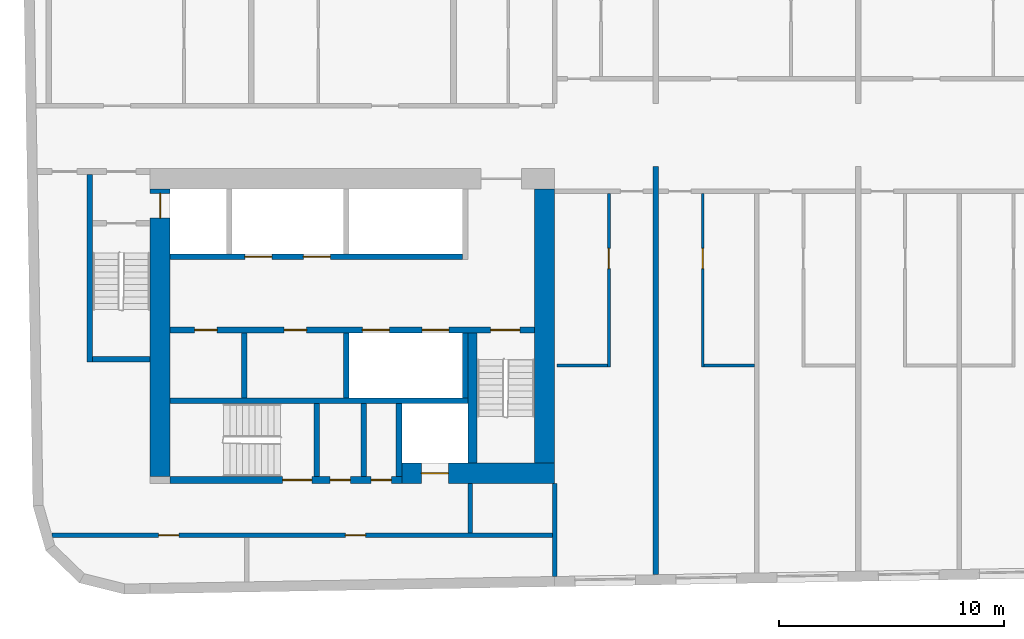
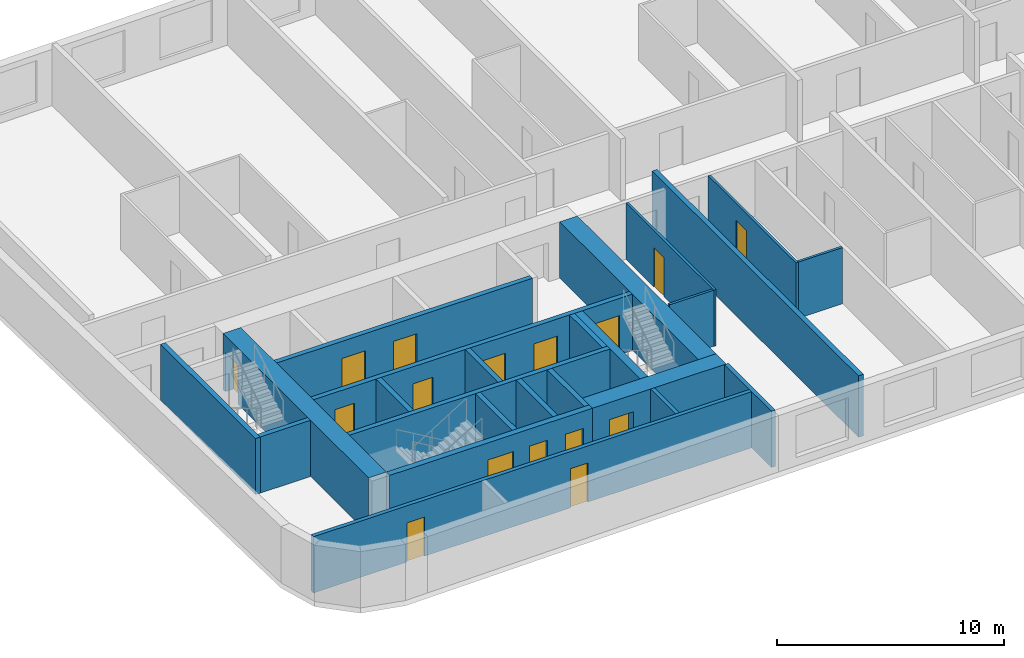
# One storey, part 2 of 11: 24 walls, 16 doors, 16 openings.
"""IFC4 building model written with IfcOpenShell, lengths in metres."""

from ifc_helpers import new_model, si_unit, direction, frame, frame_2d, origin, place, context, subcontext, project, spatial, rectangle, extrude, material, layer, layer_set, type_object, element, fill, save


model = new_model("IFC4")

# Units and contexts
model_context = context("Model", 3, precision=1e-05, world=origin(), true_north=direction((0.0, 1.0)))
body_context = subcontext(model_context, "Body", "Model", "MODEL_VIEW")
ifc_project = project(units=[si_unit("LENGTHUNIT", "METRE"), si_unit("AREAUNIT", "SQUARE_METRE"), si_unit("VOLUMEUNIT", "CUBIC_METRE"), si_unit("PLANEANGLEUNIT", "RADIAN"), si_unit("MASSUNIT", "GRAM", prefix="KILO")], contexts=[model_context])

# Site, building, storey
site_placement = place(None, origin())
site = spatial("IfcSite", under=ifc_project, at=site_placement, CompositionType="ELEMENT")
building_placement = place(site_placement, origin())
building = spatial("IfcBuilding", under=site, at=building_placement, Name="Kajstack Hotel Tower", CompositionType="ELEMENT")
storey_placement = place(building_placement, frame((0.0, 0.0, 244.10009765625)))
storey = spatial("IfcBuildingStorey", under=building, at=storey_placement, Name="L60", CompositionType="ELEMENT", Elevation=244.10009765625)

# Wall, opening, door
ifc_material_1 = material(Name="Concrete C60/75", Category="concrete")
ifc_layer_1 = layer(ifc_material_1, 0.89990234375)
ifc_layer_set_1 = layer_set([ifc_layer_1], Name="Core wall 900")
wall_type_1 = type_object("IfcWallType", Name="Core wall 900", PredefinedType="SHEAR", material=ifc_layer_set_1)
wall_1_placement = place(storey_placement, frame((-20.300048828125, -15.050048828125, 0.0), z_axis=(0.0, 0.0, 1.0), x_axis=(1.0, 0.0, 0.0)))
wall_1 = element("IfcWall", 1, at=wall_1_placement, inside=storey, type_object=wall_type_1, Name="Core wall W RS", PredefinedType="SHEAR", context=body_context, shape_type="SweptSolid", body=[
    extrude(rectangle(XDim=6.800048828125, YDim=0.89990234375, at=frame_2d((3.39990234375, 0.0))), origin(), (0.0, 0.0, 1.0), 3.02001953125),
])
opening_1_placement = place(wall_1_placement, frame((0.875, 0.0, 0.0)))
opening_1 = element("IfcOpeningElement", 2, at=opening_1_placement, cuts=wall_1, Name="Opening LD-SV1", PredefinedType="OPENING", context=body_context, shape_type="SweptSolid", body=[
    extrude(rectangle(XDim=1.199951171875, YDim=2.10009765625, at=frame_2d((0.60009765625, 1.050048828125))), frame((0.0, 0.4599609375, 0.0), z_axis=(0.0, -1.0, 0.0), x_axis=(1.0, 0.0, 0.0)), (0.0, 0.0, 1.0), 0.919921875),
])
ifc_material_2 = material(Name="Stainless steel", Category="steel")
door_type_1 = type_object("IfcDoorType", Name="Lift landing door 1200", OperationType="SLIDING_TO_LEFT", PredefinedType="DOOR", material=ifc_material_2)
door_1_placement = place(opening_1_placement, origin())
door_1 = element("IfcDoor", 3, at=door_1_placement, inside=storey, type_object=door_type_1, Name="Landing door SV1", OperationType="SLIDING_TO_LEFT", OverallHeight=2.10009765625, OverallWidth=1.199951171875, PredefinedType="DOOR", context=body_context, shape_type="SweptSolid", body=[
    extrude(rectangle(XDim=1.199951171875, YDim=2.10009765625, at=frame_2d((0.60009765625, 1.050048828125))), frame((0.0, 0.02490234375, 0.0), z_axis=(0.0, -1.0, 0.0), x_axis=(1.0, 0.0, 0.0)), (0.0, 0.0, 1.0), 0.050048828125),
])
fill(opening_1, door_1)

wall_2_placement = place(storey_placement, frame((-31.050048828125, -15.199951171875, 0.0), z_axis=(0.0, 0.0, 1.0), x_axis=(0.0, 1.0, 0.0)))
wall_2 = element("IfcWall", 4, at=wall_2_placement, inside=storey, type_object=wall_type_1, Name="Core wall W RW", PredefinedType="SHEAR", context=body_context, shape_type="SweptSolid", body=[
    extrude(rectangle(XDim=12.800048828125, YDim=0.89990234375, at=frame_2d((6.39990234375, 0.0))), origin(), (0.0, 0.0, 1.0), 3.02001953125),
])
opening_2_placement = place(wall_2_placement, frame((11.5, 0.0, 0.0)))
opening_2 = element("IfcOpeningElement", 5, at=opening_2_placement, cuts=wall_2, Name="Opening LD-FF1", PredefinedType="OPENING", context=body_context, shape_type="SweptSolid", body=[
    extrude(rectangle(XDim=1.10009765625, YDim=2.10009765625, at=frame_2d((0.550048828125, 1.050048828125))), frame((0.0, 0.4599609375, 0.0), z_axis=(0.0, -1.0, 0.0), x_axis=(1.0, 0.0, 0.0)), (0.0, 0.0, 1.0), 0.919921875),
])
door_type_2 = type_object("IfcDoorType", Name="Fire-fighting lift landing door 1100", OperationType="SLIDING_TO_LEFT", PredefinedType="DOOR", material=ifc_material_2)
door_2_placement = place(opening_2_placement, origin())
door_2 = element("IfcDoor", 6, at=door_2_placement, inside=storey, type_object=door_type_2, Name="Landing door FF1", OperationType="SLIDING_TO_RIGHT", OverallHeight=2.10009765625, OverallWidth=1.10009765625, PredefinedType="DOOR", context=body_context, shape_type="SweptSolid", body=[
    extrude(rectangle(XDim=1.10009765625, YDim=2.10009765625, at=frame_2d((0.550048828125, 1.050048828125))), frame((0.0, 0.02490234375, 0.0), z_axis=(0.0, -1.0, 0.0), x_axis=(1.0, 0.0, 0.0)), (0.0, 0.0, 1.0), 0.050048828125),
])
fill(opening_2, door_2)

# Walls
wall_3_placement = place(storey_placement, frame((-13.949951171875, -14.60009765625, 0.0), z_axis=(0.0, 0.0, 1.0), x_axis=(0.0, 1.0, 0.0)))
element("IfcWall", 7, at=wall_3_placement, inside=storey, type_object=wall_type_1, Name="Core wall W RE", PredefinedType="SHEAR", context=body_context, shape_type="SweptSolid", body=[
    extrude(rectangle(XDim=12.2001953125, YDim=0.89990234375, at=frame_2d((6.10009765625, 0.0))), origin(), (0.0, 0.0, 1.0), 3.02001953125),
])
ifc_material_3 = material(Name="Twin-frame gypsum board on steel studs, mineral wool", Category="steel")
ifc_layer_2 = layer(ifc_material_3, 0.199951171875)
ifc_layer_set_2 = layer_set([ifc_layer_2], Name="Demising wall 200")
wall_type_2 = type_object("IfcWallType", Name="Demising wall 200", PredefinedType="PARTITIONING", material=ifc_layer_set_2)
wall_4_placement = place(storey_placement, frame((-13.5, -19.64111328125, 0.0), z_axis=(0.0, 0.0, 1.0), x_axis=(0.0, 1.0, 0.0)))
element("IfcWall", 8, at=wall_4_placement, inside=storey, type_object=wall_type_2, Name="G-wall-L60-002", PredefinedType="PARTITIONING", context=body_context, shape_type="SweptSolid", body=[
    extrude(rectangle(XDim=4.14111328125, YDim=0.199951171875, at=frame_2d((2.070556640625, 0.0))), origin(), (0.0, 0.0, 1.0), 3.02001953125),
])

# Wall, opening, door
ifc_material_4 = material(Name="Gypsum board and tiled backer on steel studs", Category="steel")
ifc_layer_3 = layer(ifc_material_4, 0.125)
ifc_layer_set_3 = layer_set([ifc_layer_3], Name="En-suite wall 125")
wall_type_3 = type_object("IfcWallType", Name="En-suite wall 125", PredefinedType="PARTITIONING", material=ifc_layer_set_3)
wall_5_placement = place(storey_placement, frame((-11.087890625, -10.324951171875, 0.0), z_axis=(0.0, 0.0, 1.0), x_axis=(0.0, 1.0, 0.0)))
wall_5 = element("IfcWall", 9, at=wall_5_placement, inside=storey, type_object=wall_type_3, Name="G-wall-L60-022", PredefinedType="PARTITIONING", context=body_context, shape_type="SweptSolid", body=[
    extrude(rectangle(XDim=7.724853515625, YDim=0.125, at=frame_2d((3.8623046875, 0.0))), origin(), (0.0, 0.0, 1.0), 3.02001953125),
])
opening_3_placement = place(wall_5_placement, frame((4.375, 0.0, 0.0)))
opening_3 = element("IfcOpeningElement", 10, at=opening_3_placement, cuts=wall_5, Name="Opening 60016", PredefinedType="OPENING", context=body_context, shape_type="SweptSolid", body=[
    extrude(rectangle(XDim=0.89990234375, YDim=2.10009765625, at=frame_2d((0.449951171875, 1.050048828125))), frame((0.0, 0.072509765625, 0.0), z_axis=(0.0, -1.0, 0.0), x_axis=(1.0, 0.0, 0.0)), (0.0, 0.0, 1.0), 0.14501953125),
])
ifc_material_5 = material(Name="Painted timber door leaf", Category="wood")
door_type_3 = type_object("IfcDoorType", Name="Room door 900", OperationType="SINGLE_SWING_LEFT", PredefinedType="DOOR", material=ifc_material_5)
door_3_placement = place(opening_3_placement, origin())
door_3 = element("IfcDoor", 11, at=door_3_placement, inside=storey, type_object=door_type_3, Name="G-door-L60-16", OperationType="SINGLE_SWING_LEFT", OverallHeight=2.10009765625, OverallWidth=0.89990234375, PredefinedType="DOOR", context=body_context, shape_type="SweptSolid", body=[
    extrude(rectangle(XDim=0.89990234375, YDim=2.10009765625, at=frame_2d((0.449951171875, 1.050048828125))), frame((0.0, 0.02490234375, 0.0), z_axis=(0.0, -1.0, 0.0), x_axis=(1.0, 0.0, 0.0)), (0.0, 0.0, 1.0), 0.050048828125),
])
fill(opening_3, door_3)

# Wall
wall_6_placement = place(storey_placement, frame((-13.39990234375, -10.261962890625, 0.0), z_axis=(0.0, 0.0, 1.0), x_axis=(1.0, 0.0, 0.0)))
element("IfcWall", 12, at=wall_6_placement, inside=storey, type_object=wall_type_3, Name="G-wall-L60-023", PredefinedType="PARTITIONING", context=body_context, shape_type="SweptSolid", body=[
    extrude(rectangle(XDim=2.25, YDim=0.125, at=frame_2d((1.125, 0.0))), origin(), (0.0, 0.0, 1.0), 3.02001953125),
])

# Wall, opening, door
wall_7_placement = place(storey_placement, frame((-6.912109375, -10.324951171875, 0.0), z_axis=(0.0, 0.0, 1.0), x_axis=(0.0, 1.0, 0.0)))
wall_7 = element("IfcWall", 13, at=wall_7_placement, inside=storey, type_object=wall_type_3, Name="G-wall-L60-025", PredefinedType="PARTITIONING", context=body_context, shape_type="SweptSolid", body=[
    extrude(rectangle(XDim=7.724853515625, YDim=0.125, at=frame_2d((3.8623046875, 0.0))), origin(), (0.0, 0.0, 1.0), 3.02001953125),
])
opening_4_placement = place(wall_7_placement, frame((4.375, 0.0, 0.0)))
opening_4 = element("IfcOpeningElement", 14, at=opening_4_placement, cuts=wall_7, Name="Opening 60018", PredefinedType="OPENING", context=body_context, shape_type="SweptSolid", body=[
    extrude(rectangle(XDim=0.89990234375, YDim=2.10009765625, at=frame_2d((0.449951171875, 1.050048828125))), frame((0.0, 0.072509765625, 0.0), z_axis=(0.0, -1.0, 0.0), x_axis=(1.0, 0.0, 0.0)), (0.0, 0.0, 1.0), 0.14501953125),
])
door_4_placement = place(opening_4_placement, origin())
door_4 = element("IfcDoor", 15, at=door_4_placement, inside=storey, type_object=door_type_3, Name="G-door-L60-18", OperationType="SINGLE_SWING_LEFT", OverallHeight=2.10009765625, OverallWidth=0.89990234375, PredefinedType="DOOR", context=body_context, shape_type="SweptSolid", body=[
    extrude(rectangle(XDim=0.89990234375, YDim=2.10009765625, at=frame_2d((0.449951171875, 1.050048828125))), frame((0.0, 0.02490234375, 0.0), z_axis=(0.0, -1.0, 0.0), x_axis=(1.0, 0.0, 0.0)), (0.0, 0.0, 1.0), 0.050048828125),
])
fill(opening_4, door_4)

# Walls
wall_8_placement = place(storey_placement, frame((-6.85009765625, -10.261962890625, 0.0), z_axis=(0.0, 0.0, 1.0), x_axis=(1.0, 0.0, 0.0)))
element("IfcWall", 16, at=wall_8_placement, inside=storey, type_object=wall_type_3, Name="G-wall-L60-026", PredefinedType="PARTITIONING", context=body_context, shape_type="SweptSolid", body=[
    extrude(rectangle(XDim=2.25, YDim=0.125, at=frame_2d((1.125, 0.0))), origin(), (0.0, 0.0, 1.0), 3.02001953125),
])
ifc_material_6 = material(Name="Concrete C50/60", Category="concrete")
ifc_layer_4 = layer(ifc_material_6, 0.300048828125)
ifc_layer_set_4 = layer_set([ifc_layer_4], Name="Hoistway divider wall 300")
wall_type_4 = type_object("IfcWallType", Name="Hoistway divider wall 300", PredefinedType="SHEAR", material=ifc_layer_set_4)
wall_9_placement = place(storey_placement, frame((-22.77490234375, -11.699951171875, 0.0), z_axis=(0.0, 0.0, 1.0), x_axis=(0.0, 1.0, 0.0)))
element("IfcWall", 17, at=wall_9_placement, inside=storey, type_object=wall_type_4, Name="Core wall W BP2", PredefinedType="SHEAR", context=body_context, shape_type="SweptSolid", body=[
    extrude(rectangle(XDim=2.89990234375, YDim=0.25, at=frame_2d((1.449951171875, 0.0))), origin(), (0.0, 0.0, 1.0), 3.02001953125),
])
ifc_material_7 = material(Name="Concrete C45/55", Category="concrete")
ifc_layer_5 = layer(ifc_material_7, 0.25)
ifc_layer_set_5 = layer_set([ifc_layer_5], Name="RC cross wall 250 C45/55")
wall_type_5 = type_object("IfcWallType", Name="RC cross wall 250 C45/55", PredefinedType="SHEAR", material=ifc_layer_set_5)
wall_10_placement = place(storey_placement, frame((-9.0, -19.55029296875, 0.0), z_axis=(0.0, 0.0, 1.0), x_axis=(0.0, 1.0, 0.0)))
element("IfcWall", 18, at=wall_10_placement, inside=storey, type_object=wall_type_5, Name="S-wall-L60-04", PredefinedType="SHEAR", context=body_context, shape_type="SweptSolid", body=[
    extrude(rectangle(XDim=18.150390625, YDim=0.25, at=frame_2d((9.0751953125, 0.0))), origin(), (0.0, 0.0, 1.0), 3.2998046875),
])
ifc_material_8 = material(Name="Concrete block masonry", Category="masonry")
ifc_layer_6 = layer(ifc_material_8, 0.25)
ifc_layer_set_6 = layer_set([ifc_layer_6], Name="Riser partition 250")
wall_type_6 = type_object("IfcWallType", Name="Riser partition 250", PredefinedType="PARTITIONING", material=ifc_layer_set_6)
wall_11_placement = place(storey_placement, frame((-27.300048828125, -11.699951171875, 0.0), z_axis=(0.0, 0.0, 1.0), x_axis=(0.0, 1.0, 0.0)))
element("IfcWall", 19, at=wall_11_placement, inside=storey, type_object=wall_type_6, Name="Partition W BF0", PredefinedType="PARTITIONING", context=body_context, shape_type="SweptSolid", body=[
    extrude(rectangle(XDim=2.89990234375, YDim=0.25, at=frame_2d((1.449951171875, 0.0))), origin(), (0.0, 0.0, 1.0), 3.02001953125),
])
wall_12_placement = place(storey_placement, frame((-22.0, -15.199951171875, 0.0), z_axis=(0.0, 0.0, 1.0), x_axis=(0.0, 1.0, 0.0)))
element("IfcWall", 20, at=wall_12_placement, inside=storey, type_object=wall_type_6, Name="Partition W SZ0", PredefinedType="PARTITIONING", context=body_context, shape_type="SweptSolid", body=[
    extrude(rectangle(XDim=3.25, YDim=0.25, at=frame_2d((1.625, 0.0))), origin(), (0.0, 0.0, 1.0), 3.02001953125),
])
ifc_material_9 = material(Name="Gypsum board on steel studs, mineral wool", Category="steel")
ifc_layer_7 = layer(ifc_material_9, 0.199951171875)
ifc_layer_set_7 = layer_set([ifc_layer_7], Name="Service partition 200")
wall_type_7 = type_object("IfcWallType", Name="Service partition 200", PredefinedType="PARTITIONING", material=ifc_layer_set_7)
wall_13_placement = place(storey_placement, frame((-17.25, -17.699951171875, 0.0), z_axis=(0.0, 0.0, 1.0), x_axis=(0.0, 1.0, 0.0)))
element("IfcWall", 21, at=wall_13_placement, inside=storey, type_object=wall_type_7, Name="Partition W SCE", PredefinedType="PARTITIONING", context=body_context, shape_type="SweptSolid", body=[
    extrude(rectangle(XDim=2.199951171875, YDim=0.199951171875, at=frame_2d((1.10009765625, 0.0))), origin(), (0.0, 0.0, 1.0), 3.02001953125),
])

# Wall, openings, doors
wall_14_placement = place(storey_placement, frame((-35.86376953125, -17.800048828125, 0.0), z_axis=(0.0, 0.0, 1.0), x_axis=(1.0, 0.0, 0.0)))
wall_14 = element("IfcWall", 22, at=wall_14_placement, inside=storey, type_object=wall_type_7, Name="Partition W SLN", PredefinedType="PARTITIONING", context=body_context, shape_type="SweptSolid", body=[
    extrude(rectangle(XDim=22.263671875, YDim=0.199951171875, at=frame_2d((11.1318359375, 0.0))), origin(), (0.0, 0.0, 1.0), 3.02001953125),
])
opening_5_placement = place(wall_14_placement, frame((4.751220703125, 0.0, 0.0)))
opening_5 = element("IfcOpeningElement", 23, at=opening_5_placement, cuts=wall_14, Name="Opening 60W17", PredefinedType="OPENING", context=body_context, shape_type="SweptSolid", body=[
    extrude(rectangle(XDim=0.89990234375, YDim=2.10009765625, at=frame_2d((0.449951171875, 1.050048828125))), frame((0.0, 0.10986328125, 0.0), z_axis=(0.0, -1.0, 0.0), x_axis=(1.0, 0.0, 0.0)), (0.0, 0.0, 1.0), 0.219970703125),
])
opening_6_placement = place(wall_14_placement, frame((13.05126953125, 0.0, 0.0)))
opening_6 = element("IfcOpeningElement", 24, at=opening_6_placement, cuts=wall_14, Name="Opening 60W18", PredefinedType="OPENING", context=body_context, shape_type="SweptSolid", body=[
    extrude(rectangle(XDim=0.89990234375, YDim=2.10009765625, at=frame_2d((0.449951171875, 1.050048828125))), frame((0.0, 0.10986328125, 0.0), z_axis=(0.0, -1.0, 0.0), x_axis=(1.0, 0.0, 0.0)), (0.0, 0.0, 1.0), 0.219970703125),
])
ifc_material_10 = material(Name="Timber leaf, fire-rated", Category="wood")
door_type_4 = type_object("IfcDoorType", Name="Service door 900", OperationType="SINGLE_SWING_LEFT", PredefinedType="DOOR", material=ifc_material_10)
door_5_placement = place(opening_5_placement, origin())
door_5 = element("IfcDoor", 25, at=door_5_placement, inside=storey, type_object=door_type_4, Name="Door 60W17", OperationType="SINGLE_SWING_RIGHT", OverallHeight=2.10009765625, OverallWidth=0.89990234375, PredefinedType="DOOR", context=body_context, shape_type="SweptSolid", body=[
    extrude(rectangle(XDim=0.89990234375, YDim=2.10009765625, at=frame_2d((0.449951171875, 1.050048828125))), frame((0.0, 0.02490234375, 0.0), z_axis=(0.0, -1.0, 0.0), x_axis=(1.0, 0.0, 0.0)), (0.0, 0.0, 1.0), 0.050048828125),
])
fill(opening_5, door_5)
door_6_placement = place(opening_6_placement, origin())
door_6 = element("IfcDoor", 26, at=door_6_placement, inside=storey, type_object=door_type_4, Name="Door 60W18", OperationType="SINGLE_SWING_RIGHT", OverallHeight=2.10009765625, OverallWidth=0.89990234375, PredefinedType="DOOR", context=body_context, shape_type="SweptSolid", body=[
    extrude(rectangle(XDim=0.89990234375, YDim=2.10009765625, at=frame_2d((0.449951171875, 1.050048828125))), frame((0.0, 0.02490234375, 0.0), z_axis=(0.0, -1.0, 0.0), x_axis=(1.0, 0.0, 0.0)), (0.0, 0.0, 1.0), 0.050048828125),
])
fill(opening_6, door_6)

ifc_layer_8 = layer(ifc_material_6, 0.25)
ifc_layer_set_8 = layer_set([ifc_layer_8], Name="Shaft wall 250")
wall_type_8 = type_object("IfcWallType", Name="Shaft wall 250", PredefinedType="SHEAR", material=ifc_layer_set_8)
wall_15_placement = place(storey_placement, frame((-30.60009765625, -15.35009765625, 0.0), z_axis=(0.0, 0.0, 1.0), x_axis=(1.0, 0.0, 0.0)))
wall_15 = element("IfcWall", 27, at=wall_15_placement, inside=storey, type_object=wall_type_8, Name="Core wall W RSS", PredefinedType="SHEAR", context=body_context, shape_type="SweptSolid", body=[
    extrude(rectangle(XDim=10.300048828125, YDim=0.300048828125, at=frame_2d((5.14990234375, 0.0))), origin(), (0.0, 0.0, 1.0), 3.02001953125),
])
opening_7_placement = place(wall_15_placement, frame((5.0, 0.0, 0.0)))
opening_7 = element("IfcOpeningElement", 28, at=opening_7_placement, cuts=wall_15, Name="Opening 60W12", PredefinedType="OPENING", context=body_context, shape_type="SweptSolid", body=[
    extrude(rectangle(XDim=1.300048828125, YDim=2.10009765625, at=frame_2d((0.64990234375, 1.050048828125))), frame((0.0, 0.159912109375, 0.0), z_axis=(0.0, -1.0, 0.0), x_axis=(1.0, 0.0, 0.0)), (0.0, 0.0, 1.0), 0.320068359375),
])
opening_8_placement = place(wall_15_placement, frame((7.112548828125, 0.0, 0.0)))
opening_8 = element("IfcOpeningElement", 29, at=opening_8_placement, cuts=wall_15, Name="Opening 60W13", PredefinedType="OPENING", context=body_context, shape_type="SweptSolid", body=[
    extrude(rectangle(XDim=0.89990234375, YDim=2.10009765625, at=frame_2d((0.449951171875, 1.050048828125))), frame((0.0, 0.159912109375, 0.0), z_axis=(0.0, -1.0, 0.0), x_axis=(1.0, 0.0, 0.0)), (0.0, 0.0, 1.0), 0.320068359375),
])
opening_9_placement = place(wall_15_placement, frame((8.9375, 0.0, 0.0)))
opening_9 = element("IfcOpeningElement", 30, at=opening_9_placement, cuts=wall_15, Name="Opening 60W14", PredefinedType="OPENING", context=body_context, shape_type="SweptSolid", body=[
    extrude(rectangle(XDim=0.89990234375, YDim=2.10009765625, at=frame_2d((0.449951171875, 1.050048828125))), frame((0.0, 0.159912109375, 0.0), z_axis=(0.0, -1.0, 0.0), x_axis=(1.0, 0.0, 0.0)), (0.0, 0.0, 1.0), 0.320068359375),
])
door_7_placement = place(opening_8_placement, origin())
door_7 = element("IfcDoor", 31, at=door_7_placement, inside=storey, type_object=door_type_4, Name="Door 60W13", OperationType="SINGLE_SWING_LEFT", OverallHeight=2.10009765625, OverallWidth=0.89990234375, PredefinedType="DOOR", context=body_context, shape_type="SweptSolid", body=[
    extrude(rectangle(XDim=0.89990234375, YDim=2.10009765625, at=frame_2d((0.449951171875, 1.050048828125))), frame((0.0, 0.02490234375, 0.0), z_axis=(0.0, -1.0, 0.0), x_axis=(1.0, 0.0, 0.0)), (0.0, 0.0, 1.0), 0.050048828125),
])
fill(opening_8, door_7)
door_8_placement = place(opening_9_placement, origin())
door_8 = element("IfcDoor", 32, at=door_8_placement, inside=storey, type_object=door_type_4, Name="Door 60W14", OperationType="SINGLE_SWING_LEFT", OverallHeight=2.10009765625, OverallWidth=0.89990234375, PredefinedType="DOOR", context=body_context, shape_type="SweptSolid", body=[
    extrude(rectangle(XDim=0.89990234375, YDim=2.10009765625, at=frame_2d((0.449951171875, 1.050048828125))), frame((0.0, 0.02490234375, 0.0), z_axis=(0.0, -1.0, 0.0), x_axis=(1.0, 0.0, 0.0)), (0.0, 0.0, 1.0), 0.050048828125),
])
fill(opening_9, door_8)
ifc_material_11 = material(Name="Steel leaf, fire-rated", Category="steel")
door_type_5 = type_object("IfcDoorType", Name="Stair door 1300", OperationType="SINGLE_SWING_LEFT", PredefinedType="DOOR", material=ifc_material_11)
door_9_placement = place(opening_7_placement, origin())
door_9 = element("IfcDoor", 33, at=door_9_placement, inside=storey, type_object=door_type_5, Name="Door 60W12", OperationType="SINGLE_SWING_RIGHT", OverallHeight=2.10009765625, OverallWidth=1.300048828125, PredefinedType="DOOR", context=body_context, shape_type="SweptSolid", body=[
    extrude(rectangle(XDim=1.300048828125, YDim=2.10009765625, at=frame_2d((0.64990234375, 1.050048828125))), frame((0.0, 0.02490234375, 0.0), z_axis=(0.0, -1.0, 0.0), x_axis=(1.0, 0.0, 0.0)), (0.0, 0.0, 1.0), 0.050048828125),
])
fill(opening_7, door_9)

wall_16_placement = place(storey_placement, frame((-30.60009765625, -5.425048828125, 0.0), z_axis=(0.0, 0.0, 1.0), x_axis=(1.0, 0.0, 0.0)))
wall_16 = element("IfcWall", 34, at=wall_16_placement, inside=storey, type_object=wall_type_8, Name="Core wall W FA", PredefinedType="SHEAR", context=body_context, shape_type="SweptSolid", body=[
    extrude(rectangle(XDim=13.0, YDim=0.25, at=frame_2d((6.5, 0.0))), origin(), (0.0, 0.0, 1.0), 3.02001953125),
])
opening_10_placement = place(wall_16_placement, frame((3.324951171875, 0.0, 0.0)))
opening_10 = element("IfcOpeningElement", 35, at=opening_10_placement, cuts=wall_16, Name="Opening LD-MR3", PredefinedType="OPENING", context=body_context, shape_type="SweptSolid", body=[
    extrude(rectangle(XDim=1.199951171875, YDim=2.10009765625, at=frame_2d((0.60009765625, 1.050048828125))), frame((0.0, 0.135009765625, 0.0), z_axis=(0.0, -1.0, 0.0), x_axis=(1.0, 0.0, 0.0)), (0.0, 0.0, 1.0), 0.27001953125),
])
opening_11_placement = place(wall_16_placement, frame((5.925048828125, 0.0, 0.0)))
opening_11 = element("IfcOpeningElement", 36, at=opening_11_placement, cuts=wall_16, Name="Opening LD-MR4", PredefinedType="OPENING", context=body_context, shape_type="SweptSolid", body=[
    extrude(rectangle(XDim=1.199951171875, YDim=2.10009765625, at=frame_2d((0.60009765625, 1.050048828125))), frame((0.0, 0.135009765625, 0.0), z_axis=(0.0, -1.0, 0.0), x_axis=(1.0, 0.0, 0.0)), (0.0, 0.0, 1.0), 0.27001953125),
])
door_10_placement = place(opening_10_placement, origin())
door_10 = element("IfcDoor", 37, at=door_10_placement, inside=storey, type_object=door_type_1, Name="Landing door MR3", OperationType="SLIDING_TO_RIGHT", OverallHeight=2.10009765625, OverallWidth=1.199951171875, PredefinedType="DOOR", context=body_context, shape_type="SweptSolid", body=[
    extrude(rectangle(XDim=1.199951171875, YDim=2.10009765625, at=frame_2d((0.60009765625, 1.050048828125))), frame((0.0, 0.02490234375, 0.0), z_axis=(0.0, -1.0, 0.0), x_axis=(1.0, 0.0, 0.0)), (0.0, 0.0, 1.0), 0.050048828125),
])
fill(opening_10, door_10)
door_11_placement = place(opening_11_placement, origin())
door_11 = element("IfcDoor", 38, at=door_11_placement, inside=storey, type_object=door_type_1, Name="Landing door MR4", OperationType="SLIDING_TO_RIGHT", OverallHeight=2.10009765625, OverallWidth=1.199951171875, PredefinedType="DOOR", context=body_context, shape_type="SweptSolid", body=[
    extrude(rectangle(XDim=1.199951171875, YDim=2.10009765625, at=frame_2d((0.60009765625, 1.050048828125))), frame((0.0, 0.02490234375, 0.0), z_axis=(0.0, -1.0, 0.0), x_axis=(1.0, 0.0, 0.0)), (0.0, 0.0, 1.0), 0.050048828125),
])
fill(opening_11, door_11)

wall_17_placement = place(storey_placement, frame((-30.60009765625, -8.675048828125, 0.0), z_axis=(0.0, 0.0, 1.0), x_axis=(1.0, 0.0, 0.0)))
wall_17 = element("IfcWall", 39, at=wall_17_placement, inside=storey, type_object=wall_type_8, Name="Core wall W FB", PredefinedType="SHEAR", context=body_context, shape_type="SweptSolid", body=[
    extrude(rectangle(XDim=16.2001953125, YDim=0.25, at=frame_2d((8.10009765625, 0.0))), origin(), (0.0, 0.0, 1.0), 3.02001953125),
])
opening_12_placement = place(wall_17_placement, frame((8.550048828125, 0.0, 0.0)))
opening_12 = element("IfcOpeningElement", 40, at=opening_12_placement, cuts=wall_17, Name="Opening LD-MR1", PredefinedType="OPENING", context=body_context, shape_type="SweptSolid", body=[
    extrude(rectangle(XDim=1.199951171875, YDim=2.10009765625, at=frame_2d((0.60009765625, 1.050048828125))), frame((0.0, 0.135009765625, 0.0), z_axis=(0.0, -1.0, 0.0), x_axis=(1.0, 0.0, 0.0)), (0.0, 0.0, 1.0), 0.27001953125),
])
opening_13_placement = place(wall_17_placement, frame((11.199951171875, 0.0, 0.0)))
opening_13 = element("IfcOpeningElement", 41, at=opening_13_placement, cuts=wall_17, Name="Opening LD-MR2", PredefinedType="OPENING", context=body_context, shape_type="SweptSolid", body=[
    extrude(rectangle(XDim=1.199951171875, YDim=2.10009765625, at=frame_2d((0.60009765625, 1.050048828125))), frame((0.0, 0.135009765625, 0.0), z_axis=(0.0, -1.0, 0.0), x_axis=(1.0, 0.0, 0.0)), (0.0, 0.0, 1.0), 0.27001953125),
])
opening_14_placement = place(wall_17_placement, frame((14.25, 0.0, 0.0)))
opening_14 = element("IfcOpeningElement", 42, at=opening_14_placement, cuts=wall_17, Name="Opening 60W11", PredefinedType="OPENING", context=body_context, shape_type="SweptSolid", body=[
    extrude(rectangle(XDim=1.300048828125, YDim=2.10009765625, at=frame_2d((0.64990234375, 1.050048828125))), frame((0.0, 0.135009765625, 0.0), z_axis=(0.0, -1.0, 0.0), x_axis=(1.0, 0.0, 0.0)), (0.0, 0.0, 1.0), 0.27001953125),
])
opening_15_placement = place(wall_17_placement, frame((1.08740234375, 0.0, 0.0)))
opening_15 = element("IfcOpeningElement", 43, at=opening_15_placement, cuts=wall_17, Name="Opening 60W15", PredefinedType="OPENING", context=body_context, shape_type="SweptSolid", body=[
    extrude(rectangle(XDim=1.0, YDim=2.10009765625, at=frame_2d((0.5, 1.050048828125))), frame((0.0, 0.135009765625, 0.0), z_axis=(0.0, -1.0, 0.0), x_axis=(1.0, 0.0, 0.0)), (0.0, 0.0, 1.0), 0.27001953125),
])
opening_16_placement = place(wall_17_placement, frame((5.0625, 0.0, 0.0)))
opening_16 = element("IfcOpeningElement", 44, at=opening_16_placement, cuts=wall_17, Name="Opening 60W16", PredefinedType="OPENING", context=body_context, shape_type="SweptSolid", body=[
    extrude(rectangle(XDim=1.0, YDim=2.10009765625, at=frame_2d((0.5, 1.050048828125))), frame((0.0, 0.135009765625, 0.0), z_axis=(0.0, -1.0, 0.0), x_axis=(1.0, 0.0, 0.0)), (0.0, 0.0, 1.0), 0.27001953125),
])
door_12_placement = place(opening_12_placement, origin())
door_12 = element("IfcDoor", 45, at=door_12_placement, inside=storey, type_object=door_type_1, Name="Landing door MR1", OperationType="SLIDING_TO_LEFT", OverallHeight=2.10009765625, OverallWidth=1.199951171875, PredefinedType="DOOR", context=body_context, shape_type="SweptSolid", body=[
    extrude(rectangle(XDim=1.199951171875, YDim=2.10009765625, at=frame_2d((0.60009765625, 1.050048828125))), frame((0.0, 0.02490234375, 0.0), z_axis=(0.0, -1.0, 0.0), x_axis=(1.0, 0.0, 0.0)), (0.0, 0.0, 1.0), 0.050048828125),
])
fill(opening_12, door_12)
door_13_placement = place(opening_13_placement, origin())
door_13 = element("IfcDoor", 46, at=door_13_placement, inside=storey, type_object=door_type_1, Name="Landing door MR2", OperationType="SLIDING_TO_RIGHT", OverallHeight=2.10009765625, OverallWidth=1.199951171875, PredefinedType="DOOR", context=body_context, shape_type="SweptSolid", body=[
    extrude(rectangle(XDim=1.199951171875, YDim=2.10009765625, at=frame_2d((0.60009765625, 1.050048828125))), frame((0.0, 0.02490234375, 0.0), z_axis=(0.0, -1.0, 0.0), x_axis=(1.0, 0.0, 0.0)), (0.0, 0.0, 1.0), 0.050048828125),
])
fill(opening_13, door_13)
door_type_6 = type_object("IfcDoorType", Name="Service room door 1000", OperationType="SINGLE_SWING_LEFT", PredefinedType="DOOR", material=ifc_material_10)
door_14_placement = place(opening_15_placement, origin())
door_14 = element("IfcDoor", 47, at=door_14_placement, inside=storey, type_object=door_type_6, Name="Door 60W15", OperationType="SINGLE_SWING_RIGHT", OverallHeight=2.10009765625, OverallWidth=1.0, PredefinedType="DOOR", context=body_context, shape_type="SweptSolid", body=[
    extrude(rectangle(XDim=1.0, YDim=2.10009765625, at=frame_2d((0.5, 1.050048828125))), frame((0.0, 0.02490234375, 0.0), z_axis=(0.0, -1.0, 0.0), x_axis=(1.0, 0.0, 0.0)), (0.0, 0.0, 1.0), 0.050048828125),
])
fill(opening_15, door_14)
door_15_placement = place(opening_16_placement, origin())
door_15 = element("IfcDoor", 48, at=door_15_placement, inside=storey, type_object=door_type_6, Name="Door 60W16", OperationType="SINGLE_SWING_RIGHT", OverallHeight=2.10009765625, OverallWidth=1.0, PredefinedType="DOOR", context=body_context, shape_type="SweptSolid", body=[
    extrude(rectangle(XDim=1.0, YDim=2.10009765625, at=frame_2d((0.5, 1.050048828125))), frame((0.0, 0.02490234375, 0.0), z_axis=(0.0, -1.0, 0.0), x_axis=(1.0, 0.0, 0.0)), (0.0, 0.0, 1.0), 0.050048828125),
])
fill(opening_16, door_15)
door_16_placement = place(opening_14_placement, origin())
door_16 = element("IfcDoor", 49, at=door_16_placement, inside=storey, type_object=door_type_5, Name="Door 60W11", OperationType="SINGLE_SWING_RIGHT", OverallHeight=2.10009765625, OverallWidth=1.300048828125, PredefinedType="DOOR", context=body_context, shape_type="SweptSolid", body=[
    extrude(rectangle(XDim=1.300048828125, YDim=2.10009765625, at=frame_2d((0.64990234375, 1.050048828125))), frame((0.0, 0.02490234375, 0.0), z_axis=(0.0, -1.0, 0.0), x_axis=(1.0, 0.0, 0.0)), (0.0, 0.0, 1.0), 0.050048828125),
])
fill(opening_14, door_16)

# Walls
wall_18_placement = place(storey_placement, frame((-30.60009765625, -11.824951171875, 0.0), z_axis=(0.0, 0.0, 1.0), x_axis=(1.0, 0.0, 0.0)))
element("IfcWall", 50, at=wall_18_placement, inside=storey, type_object=wall_type_8, Name="Core wall W RB", PredefinedType="SHEAR", context=body_context, shape_type="SweptSolid", body=[
    extrude(rectangle(XDim=13.25, YDim=0.25, at=frame_2d((6.625, 0.0))), origin(), (0.0, 0.0, 1.0), 3.02001953125),
])
wall_19_placement = place(storey_placement, frame((-17.47509765625, -11.699951171875, 0.0), z_axis=(0.0, 0.0, 1.0), x_axis=(0.0, 1.0, 0.0)))
element("IfcWall", 51, at=wall_19_placement, inside=storey, type_object=wall_type_8, Name="Core wall W BE", PredefinedType="SHEAR", context=body_context, shape_type="SweptSolid", body=[
    extrude(rectangle(XDim=2.89990234375, YDim=0.25, at=frame_2d((1.449951171875, 0.0))), origin(), (0.0, 0.0, 1.0), 3.02001953125),
])
wall_20_placement = place(storey_placement, frame((-20.425048828125, -15.199951171875, 0.0), z_axis=(0.0, 0.0, 1.0), x_axis=(0.0, 1.0, 0.0)))
element("IfcWall", 52, at=wall_20_placement, inside=storey, type_object=wall_type_8, Name="Core wall W SVW", PredefinedType="SHEAR", context=body_context, shape_type="SweptSolid", body=[
    extrude(rectangle(XDim=3.25, YDim=0.25, at=frame_2d((1.625, 0.0))), origin(), (0.0, 0.0, 1.0), 3.02001953125),
])
ifc_material_12 = material(Name="Concrete C40/50", Category="concrete")
ifc_layer_9 = layer(ifc_material_12, 0.25)
ifc_layer_set_9 = layer_set([ifc_layer_9], Name="Stair enclosure wall 250")
wall_type_9 = type_object("IfcWallType", Name="Stair enclosure wall 250", PredefinedType="SHEAR", material=ifc_layer_set_9)
wall_21_placement = place(storey_placement, frame((-34.175048828125, -10.10009765625, 0.0), z_axis=(0.0, 0.0, 1.0), x_axis=(0.0, 1.0, 0.0)))
element("IfcWall", 53, at=wall_21_placement, inside=storey, type_object=wall_type_9, Name="Core wall W W1W", PredefinedType="SHEAR", context=body_context, shape_type="SweptSolid", body=[
    extrude(rectangle(XDim=8.35009765625, YDim=0.25, at=frame_2d((4.175048828125, 0.0))), origin(), (0.0, 0.0, 1.0), 3.02001953125),
])
wall_22_placement = place(storey_placement, frame((-34.050048828125, -9.97509765625, 0.0), z_axis=(0.0, 0.0, 1.0), x_axis=(1.0, 0.0, 0.0)))
element("IfcWall", 54, at=wall_22_placement, inside=storey, type_object=wall_type_9, Name="Core wall W W1S", PredefinedType="SHEAR", context=body_context, shape_type="SweptSolid", body=[
    extrude(rectangle(XDim=2.550048828125, YDim=0.25, at=frame_2d((1.27490234375, 0.0))), origin(), (0.0, 0.0, 1.0), 3.02001953125),
])
ifc_layer_10 = layer(ifc_material_6, 0.35009765625)
ifc_layer_set_10 = layer_set([ifc_layer_10], Name="Stair enclosure wall 350")
wall_type_10 = type_object("IfcWallType", Name="Stair enclosure wall 350", PredefinedType="SHEAR", material=ifc_layer_set_10)
wall_23_placement = place(storey_placement, frame((-24.074951171875, -15.199951171875, 0.0), z_axis=(0.0, 0.0, 1.0), x_axis=(0.0, 1.0, 0.0)))
element("IfcWall", 55, at=wall_23_placement, inside=storey, type_object=wall_type_10, Name="Core wall W W3E", PredefinedType="SHEAR", context=body_context, shape_type="SweptSolid", body=[
    extrude(rectangle(XDim=3.25, YDim=0.25, at=frame_2d((1.625, 0.0))), origin(), (0.0, 0.0, 1.0), 3.02001953125),
])
ifc_layer_11 = layer(ifc_material_6, 0.39990234375)
ifc_layer_set_11 = layer_set([ifc_layer_11], Name="Stair wall 400")
wall_type_11 = type_object("IfcWallType", Name="Stair wall 400", PredefinedType="SHEAR", material=ifc_layer_set_11)
wall_24_placement = place(storey_placement, frame((-17.14990234375, -14.60009765625, 0.0), z_axis=(0.0, 0.0, 1.0), x_axis=(0.0, 1.0, 0.0)))
element("IfcWall", 56, at=wall_24_placement, inside=storey, type_object=wall_type_11, Name="Core wall W WW2", PredefinedType="SHEAR", context=body_context, shape_type="SweptSolid", body=[
    extrude(rectangle(XDim=5.800048828125, YDim=0.39990234375, at=frame_2d((2.89990234375, 0.0))), origin(), (0.0, 0.0, 1.0), 3.02001953125),
])

save(model, "model.ifc")
